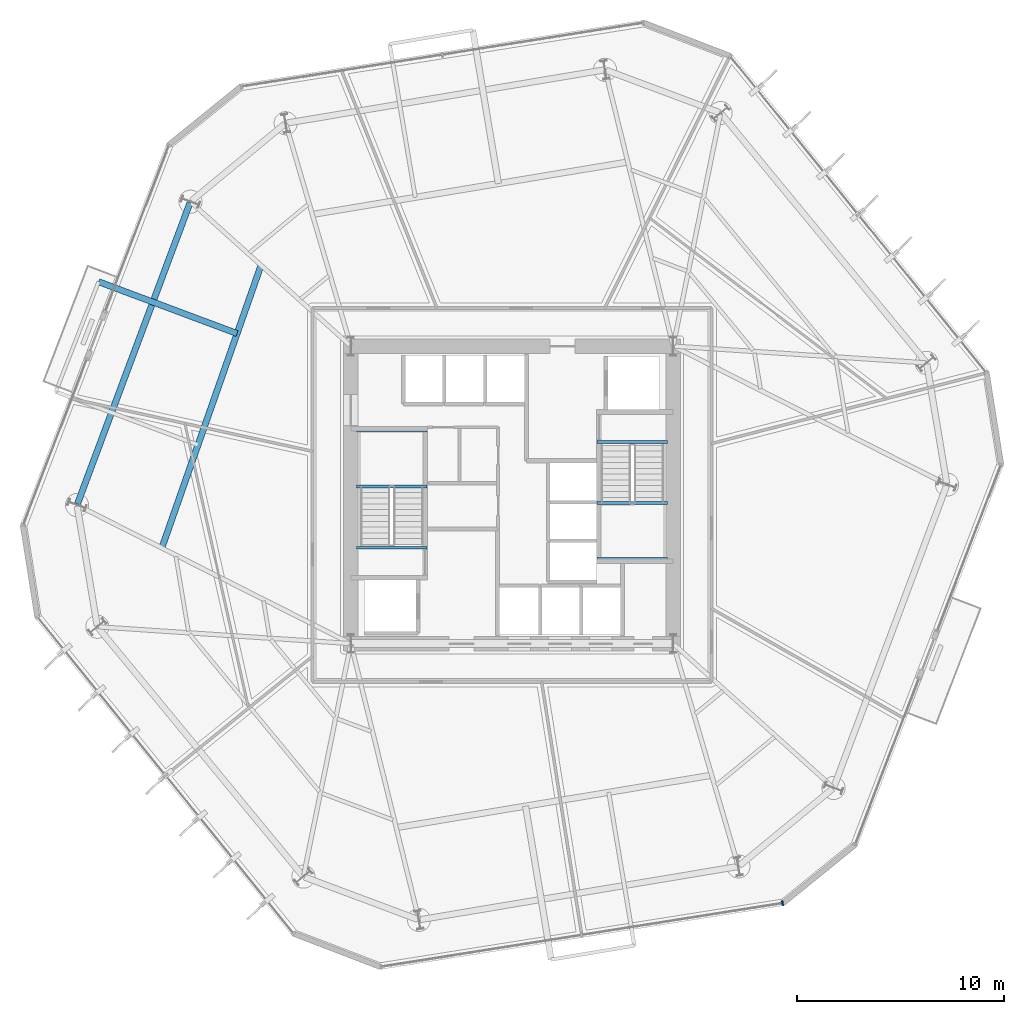
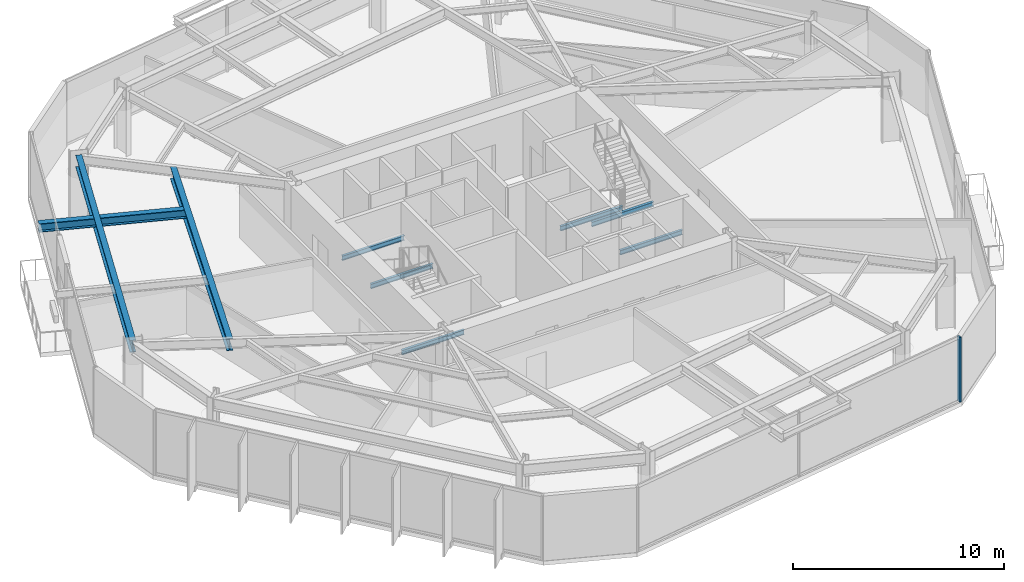
# One storey, part 3 of 11: 9 beams, 1 member, 1 element without a shape of its own.
"""IFC4 building model written with IfcOpenShell, lengths in metres."""

from ifc_helpers import new_model, si_unit, direction, frame, origin, origin_2d, place, context, subcontext, project, spatial, rectangle, i_section, extrude, material, layer, layer_set, material_profile, profile_set, type_object, element, aggregate, save


model = new_model("IFC4")

# Units and contexts
model_context = context("Model", 3, precision=1e-05, world=origin(), true_north=direction((0.0, 1.0)))
body_context = subcontext(model_context, "Body", "Model", "MODEL_VIEW")
ifc_project = project(units=[si_unit("LENGTHUNIT", "METRE"), si_unit("AREAUNIT", "SQUARE_METRE"), si_unit("VOLUMEUNIT", "CUBIC_METRE"), si_unit("PLANEANGLEUNIT", "RADIAN"), si_unit("MASSUNIT", "GRAM", prefix="KILO")], contexts=[model_context])

# Site, building, storey
site_placement = place(None, origin())
site = spatial("IfcSite", under=ifc_project, at=site_placement, CompositionType="ELEMENT")
building_placement = place(site_placement, origin())
building = spatial("IfcBuilding", under=site, at=building_placement, Name="Kranzbogen Civic Tower", CompositionType="ELEMENT")
storey_placement = place(building_placement, frame((0.0, 0.0, 56.0)))
storey = spatial("IfcBuildingStorey", under=building, at=storey_placement, Name="L13", CompositionType="ELEMENT", Elevation=56.0)

# Curtain wall, member
ifc_material_1 = material(Name="Pale Anodised Aluminium", Category="aluminium")
ifc_layer = layer(ifc_material_1, 0.219970703125, Name="Pale Anodised Aluminium")
ifc_layer_set = layer_set([ifc_layer], Name="Pale Anodised Aluminium")
curtain_wall_type = type_object("IfcCurtainWallType", Name="Zone 1 Stick Curtain Wall System CW-02", PredefinedType="USERDEFINED", material=ifc_layer_set)
curtain_wall_placement = place(storey_placement, origin())
curtain_wall = element("IfcCurtainWall", 1, at=curtain_wall_placement, inside=storey, type_object=curtain_wall_type, Name="L13 curtain wall CW-L13-F5", ObjectType="STICK CURTAIN WALL", PredefinedType="USERDEFINED")
ifc_material_profile_1 = material_profile(ifc_material_1, rectangle(XDim=0.080078125, YDim=0.239990234375, at=origin_2d()), Name="ALU-M 80x240")
ifc_profile_set_1 = profile_set([ifc_material_profile_1], Name="Pale Anodised Aluminium")
member_type = type_object("IfcMemberType", Name="Curtain Wall Mullion ALU-M 80x240", PredefinedType="MULLION", material=ifc_profile_set_1)
member_placement = place(storey_placement, frame((38.096435546875, 5.2333984375, 0.0), z_axis=(0.0, 0.0, 1.0), x_axis=(0.987686880029, 0.156443686412, 0.0)))
member = element("IfcMember", 2, at=member_placement, type_object=member_type, Name="CW-02 mullion 3", PredefinedType="MULLION", context=body_context, shape_type="SweptSolid", body=[
    extrude(rectangle(XDim=0.080078125, YDim=0.239990234375, at=origin_2d()), origin(), (0.0, 0.0, 1.0), 3.760009765625),
])
aggregate(curtain_wall, [member])

# Beams
ifc_material_2 = material(Name="Steel S355", Category="steel")
ifc_material_profile_2 = material_profile(ifc_material_2, i_section(OverallWidth=0.300048828125, OverallDepth=0.5, WebThickness=0.014404296875, FlangeThickness=0.028076171875, at=origin_2d()), Name="HEB 500")
ifc_profile_set_2 = profile_set([ifc_material_profile_2], Name="Steel S355")
beam_type_1 = type_object("IfcBeamType", Name="Perimeter Tube Spandrel Beam HEB 500", PredefinedType="SPANDREL", material=ifc_profile_set_2)
beam_1_placement = place(storey_placement, frame((11.69189453125, 32.80908203125, 3.469970703125), z_axis=(-0.936700154621, 0.350132575368, 0.0), x_axis=(-0.350132575368, -0.936700154621, 0.0)))
element("IfcBeam", 3, at=beam_1_placement, inside=storey, type_object=beam_type_1, Name="L14 back-spanned terrace beam L14-ST-1", PredefinedType="SPANDREL", context=body_context, shape_type="SweptSolid", body=[
    extrude(i_section(OverallWidth=0.300048828125, OverallDepth=0.5, WebThickness=0.014404296875, FlangeThickness=0.028076171875, at=origin_2d()), origin(), (0.0, 0.0, 1.0), 7.156982421875),
])
ifc_material_profile_3 = material_profile(ifc_material_2, i_section(OverallWidth=0.300048828125, OverallDepth=0.699951171875, WebThickness=0.01708984375, FlangeThickness=0.031982421875, at=origin_2d()), Name="HEB 700")
ifc_profile_set_3 = profile_set([ifc_material_profile_3], Name="Steel S355")
beam_type_2 = type_object("IfcBeamType", Name="Perimeter Tube Spandrel Beam HEB 700", PredefinedType="SPANDREL", material=ifc_profile_set_3)
beam_2_placement = place(storey_placement, frame((9.412109375, 39.133056640625, 3.409912109375), z_axis=(-0.350172267932, -0.936685316833, 0.0), x_axis=(0.936685316833, -0.350172267932, 0.0)))
element("IfcBeam", 4, at=beam_2_placement, inside=storey, type_object=beam_type_2, Name="L13 perimeter spandrel beam 12", PredefinedType="SPANDREL", context=body_context, shape_type="SweptSolid", body=[
    extrude(i_section(OverallWidth=0.300048828125, OverallDepth=0.699951171875, WebThickness=0.01708984375, FlangeThickness=0.031982421875, at=origin_2d()), origin(), (0.0, 0.0, 1.0), 15.55810546875),
])
beam_3_placement = place(storey_placement, frame((12.85205078125, 36.112060546875, 3.3701171875), z_axis=(-0.331242591506, -0.943545624531, 0.0), x_axis=(0.943545624531, -0.331242591506, 0.0)))
element("IfcBeam", 5, at=beam_3_placement, inside=storey, type_object=beam_type_2, Name="L14 balcony back-span header girder L14-ST", PredefinedType="SPANDREL", context=body_context, shape_type="SweptSolid", body=[
    extrude(i_section(OverallWidth=0.300048828125, OverallDepth=0.699951171875, WebThickness=0.01708984375, FlangeThickness=0.031982421875, at=origin_2d()), origin(), (0.0, 0.0, 1.0), 14.5029296875),
])
ifc_material_profile_4 = material_profile(ifc_material_2, i_section(OverallWidth=0.135009765625, OverallDepth=0.27001953125, WebThickness=0.006591796875, FlangeThickness=0.01025390625, at=origin_2d()), Name="IPE 270")
ifc_profile_set_4 = profile_set([ifc_material_profile_4], Name="Steel S355")
beam_type_3 = type_object("IfcBeamType", Name="Stair Landing Support Beam IPE 270", PredefinedType="JOIST", material=ifc_profile_set_4)
for number, where, z_axis, x_axis, name in (
    (6, (20.8798828125, 22.43994140625, -0.375), (-1.0, 0.0, 0.0), (0.0, -1.0, 0.0), "L13 ST-T1 stair floor header beam"),
    (7, (20.8798828125, 25.39990234375, 1.6650390625), (-1.0, 0.0, 0.0), (0.0, -1.0, 0.0), "L13 ST-T1 landing support beam 1.1"),
    (8, (20.8798828125, 28.10009765625, 1.6650390625), (-1.0, 0.0, 0.0), (0.0, -1.0, 0.0), "L13 ST-T1 landing support beam 1.2"),
    (9, (29.1201171875, 27.56005859375, -0.375), (1.0, 0.0, 0.0), (0.0, 1.0, 0.0), "L13 ST-T2 stair floor header beam"),
    (10, (29.1201171875, 24.60009765625, 1.6650390625), (1.0, 0.0, 0.0), (0.0, 1.0, 0.0), "L13 ST-T2 landing support beam 1.1"),
    (11, (29.1201171875, 21.89990234375, 1.6650390625), (1.0, 0.0, 0.0), (0.0, 1.0, 0.0), "L13 ST-T2 landing support beam 1.2"),
):
    element("IfcBeam", number, at=place(storey_placement, frame(where, z_axis=z_axis, x_axis=x_axis)), inside=storey, type_object=beam_type_3, Name=name, PredefinedType="JOIST", context=body_context, shape_type="SweptSolid", body=[
        extrude(i_section(OverallWidth=0.135009765625, OverallDepth=0.27001953125, WebThickness=0.006591796875, FlangeThickness=0.01025390625, at=origin_2d()), origin(), (0.0, 0.0, 1.0), 3.409912109375),
    ])

save(model, "model.ifc")
